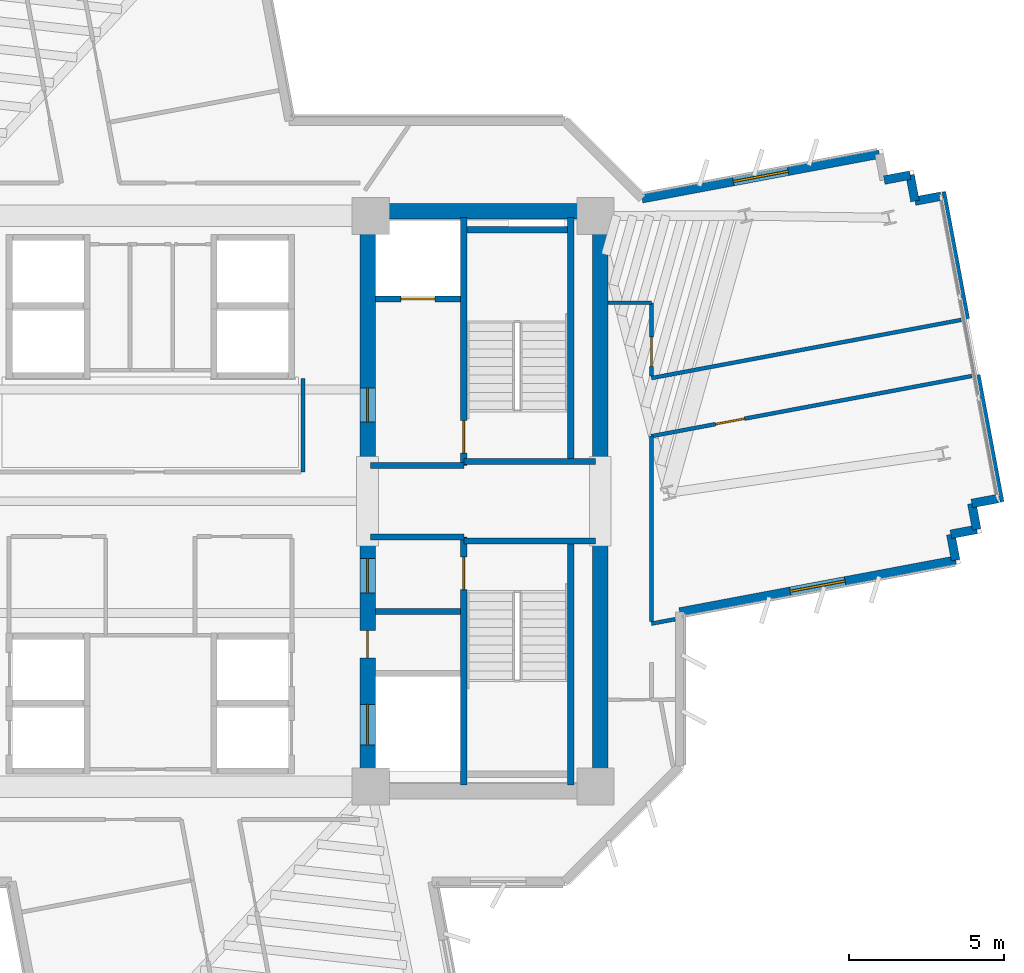
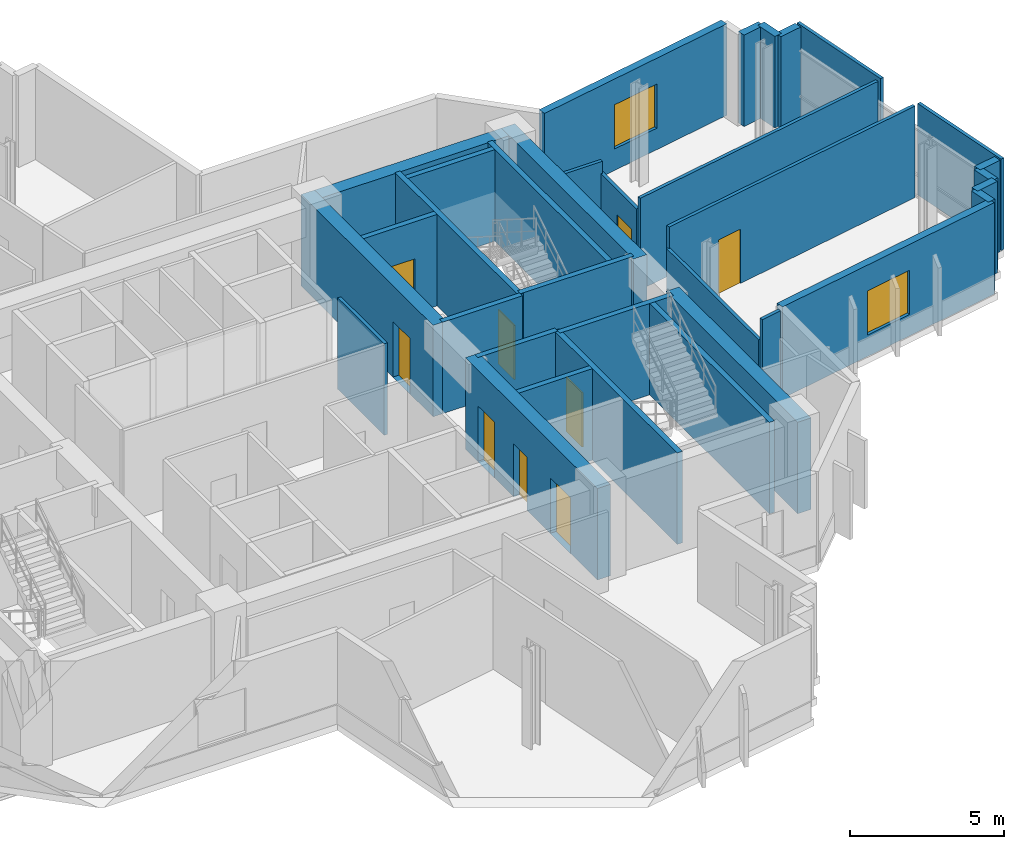
# One storey, part 11 of 16: 34 walls, 9 doors, 2 windows, 11 openings.
"""IFC4 building model written with IfcOpenShell, lengths in metres."""

from ifc_helpers import new_model, si_unit, direction, frame, frame_2d, origin, place, context, subcontext, project, spatial, rectangle, extrude, source, transform, mapped, material, layer, layer_set, type_object, element, fill, save


model = new_model("IFC4")

# Units and contexts
model_context = context("Model", 3, precision=1e-05, world=origin(), true_north=direction((0.0, 1.0)))
body_context = subcontext(model_context, "Body", "Model", "MODEL_VIEW")
ifc_project = project(units=[si_unit("LENGTHUNIT", "METRE"), si_unit("AREAUNIT", "SQUARE_METRE"), si_unit("VOLUMEUNIT", "CUBIC_METRE"), si_unit("PLANEANGLEUNIT", "RADIAN"), si_unit("MASSUNIT", "GRAM", prefix="KILO")], contexts=[model_context])

# Site, building, storey
site_placement = place(None, origin())
site = spatial("IfcSite", under=ifc_project, at=site_placement, CompositionType="ELEMENT")
building_placement = place(site_placement, origin())
building = spatial("IfcBuilding", under=site, at=building_placement, Name="Zahravan Cultural Tower", CompositionType="ELEMENT")
storey_placement = place(building_placement, frame((0.0, 0.0, 147.300048828125)))
storey = spatial("IfcBuildingStorey", under=building, at=storey_placement, Name="L33", CompositionType="ELEMENT", Elevation=147.300048828125)

# Wall, openings, doors
ifc_material_1 = material(Name="Concrete C60/75", Category="concrete")
ifc_layer_1 = layer(ifc_material_1, 0.5)
ifc_layer_set_1 = layer_set([ifc_layer_1], Name="Concrete C60/75")
wall_type_1 = type_object("IfcWallType", Name="CW-SHEAR-500-C60", PredefinedType="SHEAR", material=ifc_layer_set_1)
wall_1_placement = place(storey_placement, frame((43.0, 17.39990234375, 0.0), z_axis=(0.0, 0.0, 1.0), x_axis=(0.0, 1.0, 0.0)))
wall_1 = element("IfcWall", 1, at=wall_1_placement, inside=storey, type_object=wall_type_1, Name="L33 Core Shear Wall CW-E-WS-L33", PredefinedType="SHEAR", context=body_context, shape_type="SweptSolid", body=[
    extrude(rectangle(XDim=8.550048828125, YDim=0.5, at=frame_2d((4.27490234375, 0.0))), origin(), (0.0, 0.0, 1.0), 3.619873046875),
])
opening_1_placement = place(wall_1_placement, frame((6.64990234375, 0.0, 0.0)))
opening_1 = element("IfcOpeningElement", 2, at=opening_1_placement, cuts=wall_1, Name="Opening D-L33-08", PredefinedType="OPENING", context=body_context, shape_type="SweptSolid", body=[
    extrude(rectangle(XDim=1.10009765625, YDim=2.199951171875, at=frame_2d((0.550048828125, 1.10009765625))), frame((0.0, 0.260009765625, 0.0), z_axis=(0.0, -1.0, 0.0), x_axis=(1.0, 0.0, 0.0)), (0.0, 0.0, 1.0), 0.52001953125),
])
opening_2_placement = place(wall_1_placement, frame((1.75, 0.0, 0.0)))
opening_2 = element("IfcOpeningElement", 3, at=opening_2_placement, cuts=wall_1, Name="Opening LD-L33-03", PredefinedType="OPENING", context=body_context, shape_type="SweptSolid", body=[
    extrude(rectangle(XDim=1.300048828125, YDim=2.199951171875, at=frame_2d((0.64990234375, 1.10009765625))), frame((0.0, 0.260009765625, 0.0), z_axis=(0.0, -1.0, 0.0), x_axis=(1.0, 0.0, 0.0)), (0.0, 0.0, 1.0), 0.52001953125),
])
opening_3_placement = place(wall_1_placement, frame((4.550048828125, 0.0, 0.0)))
opening_3 = element("IfcOpeningElement", 4, at=opening_3_placement, cuts=wall_1, Name="Opening D-L33-10", PredefinedType="OPENING", context=body_context, shape_type="SweptSolid", body=[
    extrude(rectangle(XDim=0.8798828125, YDim=2.10009765625, at=frame_2d((0.43994140625, 1.050048828125))), frame((0.0, 0.260009765625, 0.0), z_axis=(0.0, -1.0, 0.0), x_axis=(1.0, 0.0, 0.0)), (0.0, 0.0, 1.0), 0.52001953125),
])
ifc_material_2 = material(Name="Steel ASTM A572 Grade 50", Category="steel")
door_type_1 = type_object("IfcDoorType", Name="DR-LOBBY-1100", OperationType="NOTDEFINED", PredefinedType="DOOR", material=ifc_material_2)
shared_shape_1 = source(origin(), body_context, "Body", "SweptSolid", [
    extrude(rectangle(XDim=1.10009765625, YDim=2.199951171875, at=frame_2d((0.550048828125, 1.10009765625))), frame((0.0, 0.02490234375, 0.0), z_axis=(0.0, -1.0, 0.0), x_axis=(1.0, 0.0, 0.0)), (0.0, 0.0, 1.0), 0.050048828125),
])
door_1_placement = place(opening_1_placement, origin())
door_1 = element("IfcDoor", 5, at=door_1_placement, inside=storey, type_object=door_type_1, Name="L33 Door D-L33-08", OperationType="SINGLE_SWING_RIGHT", OverallHeight=2.199951171875, OverallWidth=1.10009765625, PredefinedType="DOOR", context=body_context, shape_type="MappedRepresentation", body=[
    mapped(shared_shape_1, transform((0.0, 0.0, 0.0), x_axis=(1.0, 0.0, 0.0), y_axis=(0.0, 1.0, 0.0), z_axis=(0.0, 0.0, 1.0), scale=1.0)),
])
fill(opening_1, door_1)
door_type_2 = type_object("IfcDoorType", Name="DR-LIFT-1300", OperationType="DOUBLE_DOOR_SLIDING", PredefinedType="DOOR", material=ifc_material_2)
shared_shape_2 = source(origin(), body_context, "Body", "SweptSolid", [
    extrude(rectangle(XDim=1.300048828125, YDim=2.199951171875, at=frame_2d((0.64990234375, 1.10009765625))), frame((0.0, 0.02490234375, 0.0), z_axis=(0.0, -1.0, 0.0), x_axis=(1.0, 0.0, 0.0)), (0.0, 0.0, 1.0), 0.050048828125),
])
door_2_placement = place(opening_2_placement, origin())
door_2 = element("IfcDoor", 6, at=door_2_placement, inside=storey, type_object=door_type_2, Name="L33 Door LD-L33-03", OperationType="DOUBLE_DOOR_SLIDING", OverallHeight=2.199951171875, OverallWidth=1.300048828125, PredefinedType="DOOR", context=body_context, shape_type="MappedRepresentation", body=[
    mapped(shared_shape_2, transform((0.0, 0.0, 0.0), x_axis=(1.0, 0.0, 0.0), y_axis=(0.0, 1.0, 0.0), z_axis=(0.0, 0.0, 1.0), scale=1.0)),
])
fill(opening_2, door_2)
door_type_3 = type_object("IfcDoorType", Name="DR-SVC-880", OperationType="NOTDEFINED", PredefinedType="DOOR", material=ifc_material_2)
shared_shape_3 = source(origin(), body_context, "Body", "SweptSolid", [
    extrude(rectangle(XDim=0.8798828125, YDim=2.10009765625, at=frame_2d((0.43994140625, 1.050048828125))), frame((0.0, 0.02490234375, 0.0), z_axis=(0.0, -1.0, 0.0), x_axis=(1.0, 0.0, 0.0)), (0.0, 0.0, 1.0), 0.050048828125),
])
door_3_placement = place(opening_3_placement, origin())
door_3 = element("IfcDoor", 7, at=door_3_placement, inside=storey, type_object=door_type_3, Name="L33 Door D-L33-10", OperationType="SINGLE_SWING_RIGHT", OverallHeight=2.10009765625, OverallWidth=0.8798828125, PredefinedType="DOOR", context=body_context, shape_type="MappedRepresentation", body=[
    mapped(shared_shape_3, transform((0.0, 0.0, 0.0), x_axis=(1.0, 0.0, 0.0), y_axis=(0.0, 1.0, 0.0), z_axis=(0.0, 0.0, 1.0), scale=1.0)),
])
fill(opening_3, door_3)

# Wall, opening, door
wall_2_placement = place(storey_placement, frame((43.0, 28.050048828125, 0.0), z_axis=(0.0, 0.0, 1.0), x_axis=(0.0, 1.0, 0.0)))
wall_2 = element("IfcWall", 8, at=wall_2_placement, inside=storey, type_object=wall_type_1, Name="L33 Core Shear Wall CW-E-WN-L33", PredefinedType="SHEAR", context=body_context, shape_type="SweptSolid", body=[
    extrude(rectangle(XDim=8.550048828125, YDim=0.5, at=frame_2d((4.27490234375, 0.0))), origin(), (0.0, 0.0, 1.0), 3.619873046875),
])
opening_4_placement = place(wall_2_placement, frame((1.5, 0.0, 0.0)))
opening_4 = element("IfcOpeningElement", 9, at=opening_4_placement, cuts=wall_2, Name="Opening D-L33-06", PredefinedType="OPENING", context=body_context, shape_type="SweptSolid", body=[
    extrude(rectangle(XDim=1.10009765625, YDim=2.199951171875, at=frame_2d((0.550048828125, 1.10009765625))), frame((0.0, 0.260009765625, 0.0), z_axis=(0.0, -1.0, 0.0), x_axis=(1.0, 0.0, 0.0)), (0.0, 0.0, 1.0), 0.52001953125),
])
door_4_placement = place(opening_4_placement, origin())
door_4 = element("IfcDoor", 10, at=door_4_placement, inside=storey, type_object=door_type_1, Name="L33 Door D-L33-06", OperationType="SINGLE_SWING_RIGHT", OverallHeight=2.199951171875, OverallWidth=1.10009765625, PredefinedType="DOOR", context=body_context, shape_type="MappedRepresentation", body=[
    mapped(shared_shape_1, transform((0.0, 0.0, 0.0), x_axis=(1.0, 0.0, 0.0), y_axis=(0.0, 1.0, 0.0), z_axis=(0.0, 0.0, 1.0), scale=1.0)),
])
fill(opening_4, door_4)

# Wall, opening, window
ifc_material_3 = material(Name="Precast concrete C40/50", Category="concrete")
ifc_layer_2 = layer(ifc_material_3, 0.280029296875)
ifc_layer_set_2 = layer_set([ifc_layer_2], Name="Precast concrete C40/50")
wall_type_2 = type_object("IfcWallType", Name="EW-TC-280", PredefinedType="SOLIDWALL", material=ifc_layer_set_2)
wall_3_placement = place(storey_placement, frame((51.84814453125, 36.75390625, 0.0), z_axis=(0.0, 0.0, 1.0), x_axis=(0.982809278234, 0.18462373254, 0.0)))
wall_3 = element("IfcWall", 11, at=wall_3_placement, inside=storey, type_object=wall_type_2, Name="L33 Exterior Masonry Frame Wall 01", PredefinedType="SOLIDWALL", context=body_context, shape_type="SweptSolid", body=[
    extrude(rectangle(XDim=7.783447265625, YDim=0.280029296875, at=frame_2d((3.8916015625, 0.0))), origin(), (0.0, 0.0, 1.0), 3.619873046875),
])
opening_5_placement = place(wall_3_placement, frame((2.991943359375, 0.0, 0.85009765625)))
opening_5 = element("IfcOpeningElement", 12, at=opening_5_placement, cuts=wall_3, Name="Opening WN-02", PredefinedType="OPENING", context=body_context, shape_type="SweptSolid", body=[
    extrude(rectangle(XDim=1.800048828125, YDim=1.75, at=frame_2d((0.89990234375, 0.875))), frame((0.0, 0.14990234375, 0.0), z_axis=(0.0, -1.0, 0.0), x_axis=(1.0, 0.0, 0.0)), (0.0, 0.0, 1.0), 0.300048828125),
])
ifc_material_4 = material(Name="Low-E solar-control double glazing", Category="glass")
window_type = type_object("IfcWindowType", Name="WN-REC-1800X1750", PartitioningType="DOUBLE_PANEL_VERTICAL", PredefinedType="WINDOW", material=ifc_material_4)
shared_shape_4 = source(origin(), body_context, "Body", "SweptSolid", [
    extrude(rectangle(XDim=1.800048828125, YDim=1.75, at=frame_2d((0.89990234375, 0.875))), frame((0.0, 0.030029296875, 0.0), z_axis=(0.0, -1.0, 0.0), x_axis=(1.0, 0.0, 0.0)), (0.0, 0.0, 1.0), 0.06005859375),
])
window_1_placement = place(opening_5_placement, origin())
window_1 = element("IfcWindow", 13, at=window_1_placement, inside=storey, type_object=window_type, Name="L33 Recessed Solar Window 01", OverallHeight=1.75, OverallWidth=1.800048828125, PartitioningType="DOUBLE_PANEL_VERTICAL", PredefinedType="WINDOW", context=body_context, shape_type="MappedRepresentation", body=[
    mapped(shared_shape_4, transform((0.0, 0.0, 0.0), x_axis=(1.0, 0.0, 0.0), y_axis=(0.0, 1.0, 0.0), z_axis=(0.0, 0.0, 1.0), scale=1.0)),
])
fill(opening_5, window_1)

wall_4_placement = place(storey_placement, frame((61.95703125, 25.099853515625, 0.0), z_axis=(0.0, 0.0, 1.0), x_axis=(-0.982808012228, -0.184630471755, 0.0)))
wall_4 = element("IfcWall", 14, at=wall_4_placement, inside=storey, type_object=wall_type_2, Name="L33 Exterior Masonry Frame Wall 10", PredefinedType="SOLIDWALL", context=body_context, shape_type="SweptSolid", body=[
    extrude(rectangle(XDim=9.052490234375, YDim=0.280029296875, at=frame_2d((4.5263671875, 0.0))), origin(), (0.0, 0.0, 1.0), 3.619873046875),
])
opening_6_placement = place(wall_4_placement, frame((3.6259765625, 0.0, 0.85009765625)))
opening_6 = element("IfcOpeningElement", 15, at=opening_6_placement, cuts=wall_4, Name="Opening WN-02", PredefinedType="OPENING", context=body_context, shape_type="SweptSolid", body=[
    extrude(rectangle(XDim=1.800048828125, YDim=1.75, at=frame_2d((0.89990234375, 0.875))), frame((0.0, 0.14990234375, 0.0), z_axis=(0.0, -1.0, 0.0), x_axis=(1.0, 0.0, 0.0)), (0.0, 0.0, 1.0), 0.300048828125),
])
window_2_placement = place(opening_6_placement, origin())
window_2 = element("IfcWindow", 16, at=window_2_placement, inside=storey, type_object=window_type, Name="L33 Recessed Solar Window 02", OverallHeight=1.75, OverallWidth=1.800048828125, PartitioningType="DOUBLE_PANEL_VERTICAL", PredefinedType="WINDOW", context=body_context, shape_type="MappedRepresentation", body=[
    mapped(shared_shape_4, transform((0.0, 0.0, 0.0), x_axis=(1.0, 0.0, 0.0), y_axis=(0.0, 1.0, 0.0), z_axis=(0.0, 0.0, 1.0), scale=1.0)),
])
fill(opening_6, window_2)

# Wall, opening, door
ifc_material_5 = material(Name="Gypsum plasterboard partition")
ifc_layer_3 = layer(ifc_material_5, 0.125)
ifc_layer_set_3 = layer_set([ifc_layer_3], Name="Gypsum plasterboard partition")
wall_type_3 = type_object("IfcWallType", Name="W-PART-125", PredefinedType="PARTITIONING", material=ifc_layer_set_3)
wall_5_placement = place(storey_placement, frame((52.150146484375, 29.097900390625, 0.0), z_axis=(0.0, 0.0, 1.0), x_axis=(0.982805559331, 0.184643528314, 0.0)))
wall_5 = element("IfcWall", 17, at=wall_5_placement, inside=storey, type_object=wall_type_3, Name="L33 Interior Wall 092", PredefinedType="PARTITIONING", context=body_context, shape_type="SweptSolid", body=[
    extrude(rectangle(XDim=10.505126953125, YDim=0.125, at=frame_2d((5.25244140625, 0.0))), origin(), (0.0, 0.0, 1.0), 3.619873046875),
])
opening_7_placement = place(wall_5_placement, frame((2.102294921875, 0.0, 0.0)))
opening_7 = element("IfcOpeningElement", 18, at=opening_7_placement, cuts=wall_5, Name="Opening D-L33-19", PredefinedType="OPENING", context=body_context, shape_type="SweptSolid", body=[
    extrude(rectangle(XDim=0.949951171875, YDim=2.14990234375, at=frame_2d((0.47509765625, 1.074951171875))), frame((0.0, 0.072509765625, 0.0), z_axis=(0.0, -1.0, 0.0), x_axis=(1.0, 0.0, 0.0)), (0.0, 0.0, 1.0), 0.14501953125),
])
ifc_material_6 = material(Name="Anodised bronze-aluminium mullion", Category="aluminium")
door_type_4 = type_object("IfcDoorType", Name="DR-ROOM-950", OperationType="NOTDEFINED", PredefinedType="DOOR", material=ifc_material_6)
shared_shape_5 = source(origin(), body_context, "Body", "SweptSolid", [
    extrude(rectangle(XDim=0.949951171875, YDim=2.14990234375, at=frame_2d((0.47509765625, 1.074951171875))), frame((0.0, 0.02490234375, 0.0), z_axis=(0.0, -1.0, 0.0), x_axis=(1.0, 0.0, 0.0)), (0.0, 0.0, 1.0), 0.050048828125),
])
door_5_placement = place(opening_7_placement, origin())
door_5 = element("IfcDoor", 19, at=door_5_placement, inside=storey, type_object=door_type_4, Name="L33 Door D-L33-19", OperationType="SINGLE_SWING_LEFT", OverallHeight=2.14990234375, OverallWidth=0.949951171875, PredefinedType="DOOR", context=body_context, shape_type="MappedRepresentation", body=[
    mapped(shared_shape_5, transform((0.0, 0.0, 0.0), x_axis=(1.0, 0.0, 0.0), y_axis=(0.0, 1.0, 0.0), z_axis=(0.0, 0.0, 1.0), scale=1.0)),
])
fill(opening_7, door_5)

wall_6_placement = place(storey_placement, frame((52.14990234375, 31.038818359375, 0.0), z_axis=(0.0, 0.0, 1.0), x_axis=(-0.0004137788, 0.999999914394, 0.0)))
wall_6 = element("IfcWall", 20, at=wall_6_placement, inside=storey, type_object=wall_type_3, Name="L33 Interior Wall 103", PredefinedType="PARTITIONING", context=body_context, shape_type="SweptSolid", body=[
    extrude(rectangle(XDim=2.360107421875, YDim=0.125, at=frame_2d((1.18017578125, 0.0))), origin(), (0.0, 0.0, 1.0), 3.14892578125),
])
opening_8_placement = place(wall_6_placement, frame((0.310302734375, 0.0, 0.0)))
opening_8 = element("IfcOpeningElement", 21, at=opening_8_placement, cuts=wall_6, Name="Opening D-L33-20", PredefinedType="OPENING", context=body_context, shape_type="SweptSolid", body=[
    extrude(rectangle(XDim=0.949951171875, YDim=2.14990234375, at=frame_2d((0.47509765625, 1.074951171875))), frame((0.0, 0.072509765625, 0.0), z_axis=(0.0, -1.0, 0.0), x_axis=(1.0, 0.0, 0.0)), (0.0, 0.0, 1.0), 0.14501953125),
])
door_6_placement = place(opening_8_placement, origin())
door_6 = element("IfcDoor", 22, at=door_6_placement, inside=storey, type_object=door_type_4, Name="L33 Door D-L33-20", OperationType="SINGLE_SWING_RIGHT", OverallHeight=2.14990234375, OverallWidth=0.949951171875, PredefinedType="DOOR", context=body_context, shape_type="MappedRepresentation", body=[
    mapped(shared_shape_5, transform((0.0, 0.0, 0.0), x_axis=(1.0, 0.0, 0.0), y_axis=(0.0, 1.0, 0.0), z_axis=(0.0, 0.0, 1.0), scale=1.0)),
])
fill(opening_8, door_6)

ifc_material_7 = material(Name="Concrete C45/55", Category="concrete")
ifc_layer_4 = layer(ifc_material_7, 0.199951171875)
ifc_layer_set_4 = layer_set([ifc_layer_4], Name="Concrete C45/55")
wall_type_4 = type_object("IfcWallType", Name="W-SHAFT-200", PredefinedType="SOLIDWALL", material=ifc_layer_set_4)
wall_7_placement = place(storey_placement, frame((46.10009765625, 17.85009765625, 0.0), z_axis=(0.0, 0.0, 1.0), x_axis=(0.0, 1.0, 0.0)))
wall_7 = element("IfcWall", 23, at=wall_7_placement, inside=storey, type_object=wall_type_4, Name="L33 Interior Wall 007", PredefinedType="SOLIDWALL", context=body_context, shape_type="SweptSolid", body=[
    extrude(rectangle(XDim=8.0, YDim=0.199951171875, at=frame_2d((4.0, 0.0))), origin(), (0.0, 0.0, 1.0), 3.619873046875),
])
opening_9_placement = place(wall_7_placement, frame((6.300048828125, 0.0, 0.0)))
opening_9 = element("IfcOpeningElement", 24, at=opening_9_placement, cuts=wall_7, Name="Opening D-L33-03", PredefinedType="OPENING", context=body_context, shape_type="SweptSolid", body=[
    extrude(rectangle(XDim=1.050048828125, YDim=2.14990234375, at=frame_2d((0.52490234375, 1.074951171875))), frame((0.0, 0.10986328125, 0.0), z_axis=(0.0, -1.0, 0.0), x_axis=(1.0, 0.0, 0.0)), (0.0, 0.0, 1.0), 0.219970703125),
])
door_type_5 = type_object("IfcDoorType", Name="DR-STAIR-1050", OperationType="NOTDEFINED", PredefinedType="DOOR", material=ifc_material_2)
shared_shape_6 = source(origin(), body_context, "Body", "SweptSolid", [
    extrude(rectangle(XDim=1.050048828125, YDim=2.14990234375, at=frame_2d((0.52490234375, 1.074951171875))), frame((0.0, 0.02490234375, 0.0), z_axis=(0.0, -1.0, 0.0), x_axis=(1.0, 0.0, 0.0)), (0.0, 0.0, 1.0), 0.050048828125),
])
door_7_placement = place(opening_9_placement, origin())
door_7 = element("IfcDoor", 25, at=door_7_placement, inside=storey, type_object=door_type_5, Name="L33 Door D-L33-03", OperationType="SINGLE_SWING_LEFT", OverallHeight=2.14990234375, OverallWidth=1.050048828125, PredefinedType="DOOR", context=body_context, shape_type="MappedRepresentation", body=[
    mapped(shared_shape_6, transform((0.0, 0.0, 0.0), x_axis=(1.0, 0.0, 0.0), y_axis=(0.0, 1.0, 0.0), z_axis=(0.0, 0.0, 1.0), scale=1.0)),
])
fill(opening_9, door_7)

wall_8_placement = place(storey_placement, frame((46.10009765625, 28.14990234375, 0.0), z_axis=(0.0, 0.0, 1.0), x_axis=(0.0, 1.0, 0.0)))
wall_8 = element("IfcWall", 26, at=wall_8_placement, inside=storey, type_object=wall_type_4, Name="L33 Interior Wall 008", PredefinedType="SOLIDWALL", context=body_context, shape_type="SweptSolid", body=[
    extrude(rectangle(XDim=8.0, YDim=0.199951171875, at=frame_2d((4.0, 0.0))), origin(), (0.0, 0.0, 1.0), 3.619873046875),
])
opening_10_placement = place(wall_8_placement, frame((0.39990234375, 0.0, 0.0)))
opening_10 = element("IfcOpeningElement", 27, at=opening_10_placement, cuts=wall_8, Name="Opening D-L33-02", PredefinedType="OPENING", context=body_context, shape_type="SweptSolid", body=[
    extrude(rectangle(XDim=1.050048828125, YDim=2.14990234375, at=frame_2d((0.52490234375, 1.074951171875))), frame((0.0, 0.10986328125, 0.0), z_axis=(0.0, -1.0, 0.0), x_axis=(1.0, 0.0, 0.0)), (0.0, 0.0, 1.0), 0.219970703125),
])
door_8_placement = place(opening_10_placement, origin())
door_8 = element("IfcDoor", 28, at=door_8_placement, inside=storey, type_object=door_type_5, Name="L33 Door D-L33-02", OperationType="SINGLE_SWING_RIGHT", OverallHeight=2.14990234375, OverallWidth=1.050048828125, PredefinedType="DOOR", context=body_context, shape_type="MappedRepresentation", body=[
    mapped(shared_shape_6, transform((0.0, 0.0, 0.0), x_axis=(1.0, 0.0, 0.0), y_axis=(0.0, 1.0, 0.0), z_axis=(0.0, 0.0, 1.0), scale=1.0)),
])
fill(opening_10, door_8)

wall_9_placement = place(storey_placement, frame((43.25, 33.52001953125, 0.0), z_axis=(0.0, 0.0, 1.0), x_axis=(1.0, 0.0, 0.0)))
wall_9 = element("IfcWall", 29, at=wall_9_placement, inside=storey, type_object=wall_type_4, Name="L33 Interior Wall 022", PredefinedType="SOLIDWALL", context=body_context, shape_type="SweptSolid", body=[
    extrude(rectangle(XDim=2.75, YDim=0.199951171875, at=frame_2d((1.375, 0.0))), origin(), (0.0, 0.0, 1.0), 3.619873046875),
])
opening_11_placement = place(wall_9_placement, frame((0.820068359375, 0.0, 0.0)))
opening_11 = element("IfcOpeningElement", 30, at=opening_11_placement, cuts=wall_9, Name="Opening LD-L33-02", PredefinedType="OPENING", context=body_context, shape_type="SweptSolid", body=[
    extrude(rectangle(XDim=1.10009765625, YDim=2.14990234375, at=frame_2d((0.550048828125, 1.074951171875))), frame((0.0, 0.10986328125, 0.0), z_axis=(0.0, -1.0, 0.0), x_axis=(1.0, 0.0, 0.0)), (0.0, 0.0, 1.0), 0.219970703125),
])
door_type_6 = type_object("IfcDoorType", Name="DR-LIFT-1100", OperationType="DOUBLE_DOOR_SLIDING", PredefinedType="DOOR", material=ifc_material_2)
shared_shape_7 = source(origin(), body_context, "Body", "SweptSolid", [
    extrude(rectangle(XDim=1.10009765625, YDim=2.14990234375, at=frame_2d((0.550048828125, 1.074951171875))), frame((0.0, 0.02490234375, 0.0), z_axis=(0.0, -1.0, 0.0), x_axis=(1.0, 0.0, 0.0)), (0.0, 0.0, 1.0), 0.050048828125),
])
door_9_placement = place(opening_11_placement, origin())
door_9 = element("IfcDoor", 31, at=door_9_placement, inside=storey, type_object=door_type_6, Name="L33 Door LD-L33-02", OperationType="DOUBLE_DOOR_SLIDING", OverallHeight=2.14990234375, OverallWidth=1.10009765625, PredefinedType="DOOR", context=body_context, shape_type="MappedRepresentation", body=[
    mapped(shared_shape_7, transform((0.0, 0.0, 0.0), x_axis=(1.0, 0.0, 0.0), y_axis=(0.0, 1.0, 0.0), z_axis=(0.0, 0.0, 1.0), scale=1.0)),
])
fill(opening_11, door_9)

# Walls
shared_shape_8 = source(origin(), body_context, "Body", "SweptSolid", [
    extrude(rectangle(XDim=8.550048828125, YDim=0.5, at=frame_2d((4.27490234375, 0.0))), origin(), (0.0, 0.0, 1.0), 3.619873046875),
])
for number, where, z_axis, x_axis, name in (
    (32, (50.5, 17.39990234375, 0.0), (0.0, 0.0, 1.0), (0.0, 1.0, 0.0), "L33 Core Shear Wall CW-E-ES-L33"),
    (33, (50.5, 28.050048828125, 0.0), (0.0, 0.0, 1.0), (0.0, 1.0, 0.0), "L33 Core Shear Wall CW-E-EN-L33"),
):
    element("IfcWall", number, at=place(storey_placement, frame(where, z_axis=z_axis, x_axis=x_axis)), inside=storey, type_object=wall_type_1, Name=name, PredefinedType="SHEAR", context=body_context, shape_type="MappedRepresentation", body=[
        mapped(shared_shape_8, transform((0.0, 0.0, 0.0), x_axis=(1.0, 0.0, 0.0), y_axis=(0.0, 1.0, 0.0), z_axis=(0.0, 0.0, 1.0), scale=1.0)),
    ])
shared_shape_9 = source(origin(), body_context, "Body", "SweptSolid", [
    extrude(rectangle(XDim=7.0, YDim=0.5, at=frame_2d((3.5, 0.0))), origin(), (0.0, 0.0, 1.0), 3.619873046875),
])
wall_10_placement = place(storey_placement, frame((43.25, 36.35009765625, 0.0), z_axis=(0.0, 0.0, 1.0), x_axis=(1.0, 0.0, 0.0)))
element("IfcWall", 34, at=wall_10_placement, inside=storey, type_object=wall_type_1, Name="L33 Core Shear Wall CW-E-N-L33", PredefinedType="SHEAR", context=body_context, shape_type="MappedRepresentation", body=[
    mapped(shared_shape_9, transform((0.0, 0.0, 0.0), x_axis=(1.0, 0.0, 0.0), y_axis=(0.0, 1.0, 0.0), z_axis=(0.0, 0.0, 1.0), scale=1.0)),
])
shared_shape_10 = source(origin(), body_context, "Body", "SweptSolid", [
    extrude(rectangle(XDim=0.85009765625, YDim=0.280029296875, at=frame_2d((0.425048828125, 0.0))), origin(), (0.0, 0.0, 1.0), 3.619873046875),
])
for number, where, z_axis, x_axis, name in (
    (35, (60.64697265625, 36.67724609375, 0.0), (0.0, 0.0, 1.0), (0.982852672425, 0.184392582027, 0.0), "L33 Exterior Masonry Frame Wall 05"),
    (36, (63.31396484375, 27.084716796875, 0.0), (0.0, 0.0, 1.0), (-0.982800583684, -0.184670010318, 0.0), "L33 Exterior Masonry Frame Wall 06"),
    (37, (62.478515625, 26.927734375, 0.0), (0.0, 0.0, 1.0), (0.184670010318, -0.982800583684, 0.0), "L33 Exterior Masonry Frame Wall 07"),
    (38, (61.80029296875, 25.935302734375, 0.0), (0.0, 0.0, 1.0), (0.184392582027, -0.982852672425, 0.0), "L33 Exterior Masonry Frame Wall 09"),
):
    element("IfcWall", number, at=place(storey_placement, frame(where, z_axis=z_axis, x_axis=x_axis)), inside=storey, type_object=wall_type_2, Name=name, PredefinedType="SOLIDWALL", context=body_context, shape_type="MappedRepresentation", body=[
        mapped(shared_shape_10, transform((0.0, 0.0, 0.0), x_axis=(1.0, 0.0, 0.0), y_axis=(0.0, 1.0, 0.0), z_axis=(0.0, 0.0, 1.0), scale=1.0)),
    ])
shared_shape_11 = source(origin(), body_context, "Body", "SweptSolid", [
    extrude(rectangle(XDim=0.849853515625, YDim=0.280029296875, at=frame_2d((0.4248046875, 0.0))), origin(), (0.0, 0.0, 1.0), 3.619873046875),
])
for number, where, z_axis, x_axis, name in (
    (39, (59.65478515625, 37.35546875, 0.0), (0.0, 0.0, 1.0), (0.982790785128, 0.184722149909, 0.0), "L33 Exterior Masonry Frame Wall 03"),
    (40, (60.489990234375, 37.512451171875, 0.0), (0.0, 0.0, 1.0), (0.184722149909, -0.982790785128, 0.0), "L33 Exterior Masonry Frame Wall 04"),
    (41, (62.635498046875, 26.09228515625, 0.0), (0.0, 0.0, 1.0), (-0.982790785128, -0.184722149909, 0.0), "L33 Exterior Masonry Frame Wall 08"),
):
    element("IfcWall", number, at=place(storey_placement, frame(where, z_axis=z_axis, x_axis=x_axis)), inside=storey, type_object=wall_type_2, Name=name, PredefinedType="SOLIDWALL", context=body_context, shape_type="MappedRepresentation", body=[
        mapped(shared_shape_11, transform((0.0, 0.0, 0.0), x_axis=(1.0, 0.0, 0.0), y_axis=(0.0, 1.0, 0.0), z_axis=(0.0, 0.0, 1.0), scale=1.0)),
    ])
shared_shape_12 = source(origin(), body_context, "Body", "SweptSolid", [
    extrude(rectangle(XDim=7.869873046875, YDim=0.199951171875, at=frame_2d((3.93505859375, 0.0))), origin(), (0.0, 0.0, 1.0), 3.619873046875),
])
for number, where, z_axis, x_axis, name in (
    (42, (49.550048828125, 17.85009765625, 0.0), (0.0, 0.0, 1.0), (0.0, 1.0, 0.0), "L33 Interior Wall 003"),
    (43, (49.550048828125, 28.280029296875, 0.0), (0.0, 0.0, 1.0), (0.0, 1.0, 0.0), "L33 Interior Wall 004"),
):
    element("IfcWall", number, at=place(storey_placement, frame(where, z_axis=z_axis, x_axis=x_axis)), inside=storey, type_object=wall_type_4, Name=name, PredefinedType="SOLIDWALL", context=body_context, shape_type="MappedRepresentation", body=[
        mapped(shared_shape_12, transform((0.0, 0.0, 0.0), x_axis=(1.0, 0.0, 0.0), y_axis=(0.0, 1.0, 0.0), z_axis=(0.0, 0.0, 1.0), scale=1.0)),
    ])
shared_shape_13 = source(origin(), body_context, "Body", "SweptSolid", [
    extrude(rectangle(XDim=4.25, YDim=0.199951171875, at=frame_2d((2.125, 0.0))), origin(), (0.0, 0.0, 1.0), 3.619873046875),
])
for number, where, z_axis, x_axis, name in (
    (44, (46.10009765625, 25.715087890625, 0.0), (0.0, 0.0, 1.0), (1.0, 0.0, 0.0), "L33 Interior Wall 014"),
    (45, (46.10009765625, 28.284912109375, 0.0), (0.0, 0.0, 1.0), (1.0, 0.0, 0.0), "L33 Interior Wall 016"),
):
    element("IfcWall", number, at=place(storey_placement, frame(where, z_axis=z_axis, x_axis=x_axis)), inside=storey, type_object=wall_type_4, Name=name, PredefinedType="SOLIDWALL", context=body_context, shape_type="MappedRepresentation", body=[
        mapped(shared_shape_13, transform((0.0, 0.0, 0.0), x_axis=(1.0, 0.0, 0.0), y_axis=(0.0, 1.0, 0.0), z_axis=(0.0, 0.0, 1.0), scale=1.0)),
    ])
shared_shape_14 = source(origin(), body_context, "Body", "SweptSolid", [
    extrude(rectangle(XDim=3.0, YDim=0.199951171875, at=frame_2d((1.5, 0.0))), origin(), (0.0, 0.0, 1.0), 3.619873046875),
])
for number, where, z_axis, x_axis, name in (
    (46, (43.10009765625, 25.85009765625, 0.0), (0.0, 0.0, 1.0), (1.0, 0.0, 0.0), "L33 Interior Wall 013"),
    (47, (43.10009765625, 28.14990234375, 0.0), (0.0, 0.0, 1.0), (1.0, 0.0, 0.0), "L33 Interior Wall 015"),
):
    element("IfcWall", number, at=place(storey_placement, frame(where, z_axis=z_axis, x_axis=x_axis)), inside=storey, type_object=wall_type_4, Name=name, PredefinedType="SOLIDWALL", context=body_context, shape_type="MappedRepresentation", body=[
        mapped(shared_shape_14, transform((0.0, 0.0, 0.0), x_axis=(1.0, 0.0, 0.0), y_axis=(0.0, 1.0, 0.0), z_axis=(0.0, 0.0, 1.0), scale=1.0)),
    ])
shared_shape_15 = source(origin(), body_context, "Body", "SweptSolid", [
    extrude(rectangle(XDim=3.25, YDim=0.199951171875, at=frame_2d((1.625, 0.0))), origin(), (0.0, 0.0, 1.0), 3.619873046875),
])
wall_11_placement = place(storey_placement, frame((46.199951171875, 35.75, 0.0), z_axis=(0.0, 0.0, 1.0), x_axis=(1.0, 0.0, 0.0)))
element("IfcWall", 48, at=wall_11_placement, inside=storey, type_object=wall_type_4, Name="L33 Interior Wall 018", PredefinedType="SOLIDWALL", context=body_context, shape_type="MappedRepresentation", body=[
    mapped(shared_shape_15, transform((0.0, 0.0, 0.0), x_axis=(1.0, 0.0, 0.0), y_axis=(0.0, 1.0, 0.0), z_axis=(0.0, 0.0, 1.0), scale=1.0)),
])
shared_shape_16 = source(origin(), body_context, "Body", "SweptSolid", [
    extrude(rectangle(XDim=2.75, YDim=0.199951171875, at=frame_2d((1.375, 0.0))), origin(), (0.0, 0.0, 1.0), 3.619873046875),
])
wall_12_placement = place(storey_placement, frame((43.25, 23.449951171875, 0.0), z_axis=(0.0, 0.0, 1.0), x_axis=(1.0, 0.0, 0.0)))
element("IfcWall", 49, at=wall_12_placement, inside=storey, type_object=wall_type_4, Name="L33 Interior Wall 024", PredefinedType="SOLIDWALL", context=body_context, shape_type="MappedRepresentation", body=[
    mapped(shared_shape_16, transform((0.0, 0.0, 0.0), x_axis=(1.0, 0.0, 0.0), y_axis=(0.0, 1.0, 0.0), z_axis=(0.0, 0.0, 1.0), scale=1.0)),
])
shared_shape_17 = source(origin(), body_context, "Body", "SweptSolid", [
    extrude(rectangle(XDim=3.010009765625, YDim=0.125, at=frame_2d((1.5048828125, 0.0))), origin(), (0.0, 0.0, 1.0), 3.619873046875),
])
wall_13_placement = place(storey_placement, frame((40.919921875, 30.949951171875, 0.0), z_axis=(0.0, 0.0, 1.0), x_axis=(0.0, -1.0, 0.0)))
element("IfcWall", 50, at=wall_13_placement, inside=storey, type_object=wall_type_3, Name="L33 Interior Wall 084", PredefinedType="PARTITIONING", context=body_context, shape_type="MappedRepresentation", body=[
    mapped(shared_shape_17, transform((0.0, 0.0, 0.0), x_axis=(1.0, 0.0, 0.0), y_axis=(0.0, 1.0, 0.0), z_axis=(0.0, 0.0, 1.0), scale=1.0)),
])
shared_shape_18 = source(origin(), body_context, "Body", "SweptSolid", [
    extrude(rectangle(XDim=4.159912109375, YDim=0.125, at=frame_2d((2.080078125, 0.0))), origin(), (0.0, 0.0, 1.0), 3.619873046875),
])
for number, where, z_axis, x_axis, name in (
    (51, (62.68603515625, 31.077392578125, 0.0), (0.0, 0.0, 1.0), (0.184635785614, -0.982807013951, 0.0), "L33 Interior Wall 089"),
    (52, (61.578125, 36.97412109375, 0.0), (0.0, 0.0, 1.0), (0.184635785614, -0.982807013951, 0.0), "L33 Interior Wall 101"),
):
    element("IfcWall", number, at=place(storey_placement, frame(where, z_axis=z_axis, x_axis=x_axis)), inside=storey, type_object=wall_type_3, Name=name, PredefinedType="PARTITIONING", context=body_context, shape_type="MappedRepresentation", body=[
        mapped(shared_shape_18, transform((0.0, 0.0, 0.0), x_axis=(1.0, 0.0, 0.0), y_axis=(0.0, 1.0, 0.0), z_axis=(0.0, 0.0, 1.0), scale=1.0)),
    ])
shared_shape_19 = source(origin(), body_context, "Body", "SweptSolid", [
    extrude(rectangle(XDim=0.778564453125, YDim=0.125, at=frame_2d((0.38916015625, 0.0))), origin(), (0.0, 0.0, 1.0), 3.619873046875),
])
wall_14_placement = place(storey_placement, frame((52.9150390625, 23.19775390625, 0.0), z_axis=(0.0, 0.0, 1.0), x_axis=(-0.982850878619, -0.184402143149, 0.0)))
element("IfcWall", 53, at=wall_14_placement, inside=storey, type_object=wall_type_3, Name="L33 Interior Wall 090", PredefinedType="PARTITIONING", context=body_context, shape_type="MappedRepresentation", body=[
    mapped(shared_shape_19, transform((0.0, 0.0, 0.0), x_axis=(1.0, 0.0, 0.0), y_axis=(0.0, 1.0, 0.0), z_axis=(0.0, 0.0, 1.0), scale=1.0)),
])
shared_shape_20 = source(origin(), body_context, "Body", "SweptSolid", [
    extrude(rectangle(XDim=5.97509765625, YDim=0.125, at=frame_2d((2.987548828125, 0.0))), origin(), (0.0, 0.0, 1.0), 2.765869140625),
])
wall_15_placement = place(storey_placement, frame((52.14990234375, 23.122802734375, 0.0), z_axis=(0.0, 0.0, 1.0), x_axis=(0.0, 1.0, 0.0)))
element("IfcWall", 54, at=wall_15_placement, inside=storey, type_object=wall_type_3, Name="L33 Interior Wall 091", PredefinedType="PARTITIONING", context=body_context, shape_type="MappedRepresentation", body=[
    mapped(shared_shape_20, transform((0.0, 0.0, 0.0), x_axis=(1.0, 0.0, 0.0), y_axis=(0.0, 1.0, 0.0), z_axis=(0.0, 0.0, 1.0), scale=1.0)),
])
shared_shape_21 = source(origin(), body_context, "Body", "SweptSolid", [
    extrude(rectangle(XDim=10.15966796875, YDim=0.125, at=frame_2d((5.079833984375, 0.0))), origin(), (0.0, 0.0, 1.0), 3.619873046875),
])
wall_16_placement = place(storey_placement, frame((62.135009765625, 32.845947265625, 0.0), z_axis=(0.0, 0.0, 1.0), x_axis=(-0.982809288671, -0.184623676981, 0.0)))
element("IfcWall", 55, at=wall_16_placement, inside=storey, type_object=wall_type_3, Name="L33 Interior Wall 102", PredefinedType="PARTITIONING", context=body_context, shape_type="MappedRepresentation", body=[
    mapped(shared_shape_21, transform((0.0, 0.0, 0.0), x_axis=(1.0, 0.0, 0.0), y_axis=(0.0, 1.0, 0.0), z_axis=(0.0, 0.0, 1.0), scale=1.0)),
])
shared_shape_22 = source(origin(), body_context, "Body", "SweptSolid", [
    extrude(rectangle(XDim=1.39404296875, YDim=0.125, at=frame_2d((0.697021484375, 0.0))), origin(), (0.0, 0.0, 1.0), 3.619873046875),
])
wall_17_placement = place(storey_placement, frame((52.14892578125, 33.39892578125, 0.0), z_axis=(0.0, 0.0, 1.0), x_axis=(-0.999999754632, 0.000700525222, 0.0)))
element("IfcWall", 56, at=wall_17_placement, inside=storey, type_object=wall_type_3, Name="L33 Interior Wall 104", PredefinedType="PARTITIONING", context=body_context, shape_type="MappedRepresentation", body=[
    mapped(shared_shape_22, transform((0.0, 0.0, 0.0), x_axis=(1.0, 0.0, 0.0), y_axis=(0.0, 1.0, 0.0), z_axis=(0.0, 0.0, 1.0), scale=1.0)),
])

save(model, "model.ifc")
